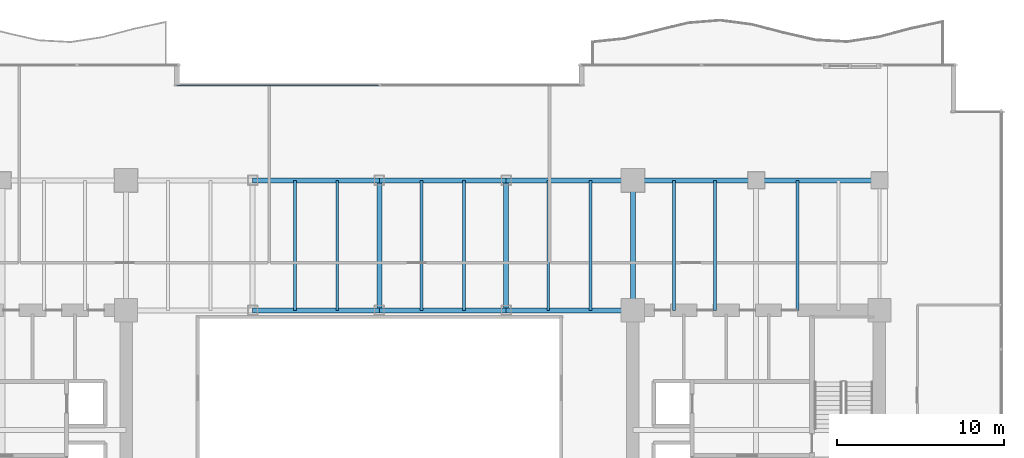
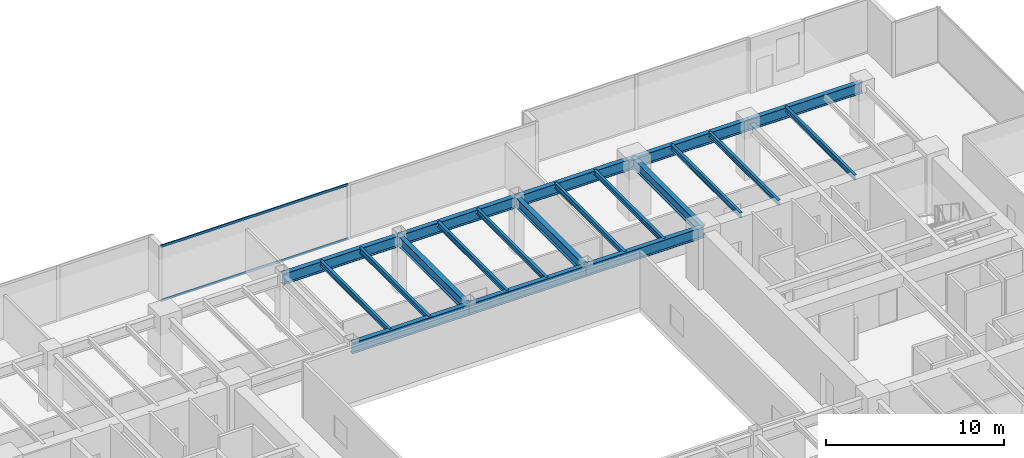
# One storey, part 17 of 32: 20 beams, 2 members, 1 element without a shape of its own.
"""IFC4 building model written with IfcOpenShell, lengths in metres."""

from ifc_helpers import new_model, si_unit, direction, frame, origin, origin_2d, place, context, subcontext, project, spatial, hollow_rectangle, i_section, extrude, source, transform, mapped, material, layer, layer_set, material_profile, profile_set, type_object, type_shapes, element, aggregate, save


model = new_model("IFC4")

# Units and contexts
model_context = context("Model", 3, precision=1e-05, world=origin(), true_north=direction((0.0, 1.0)))
body_context = subcontext(model_context, "Body", "Model", "MODEL_VIEW")
ifc_project = project(units=[si_unit("LENGTHUNIT", "METRE"), si_unit("AREAUNIT", "SQUARE_METRE"), si_unit("VOLUMEUNIT", "CUBIC_METRE"), si_unit("PLANEANGLEUNIT", "RADIAN"), si_unit("MASSUNIT", "GRAM", prefix="KILO")], contexts=[model_context])

# Site, building, storey
site_placement = place(None, origin())
site = spatial("IfcSite", under=ifc_project, at=site_placement, CompositionType="ELEMENT")
building_placement = place(site_placement, origin())
building = spatial("IfcBuilding", under=site, at=building_placement, Name="Haelvirn Gate Laboratories", CompositionType="ELEMENT")
storey_placement = place(building_placement, frame((0.0, 0.0, 33.39990234375)))
storey = spatial("IfcBuildingStorey", under=building, at=storey_placement, Name="L08", CompositionType="ELEMENT", Elevation=33.39990234375)

# Beams
ifc_material_1 = material(Name="Steel SM355", Category="steel")
ifc_material_profile_1 = material_profile(ifc_material_1, i_section(OverallWidth=0.300048828125, OverallDepth=0.699951171875, WebThickness=0.012939453125, FlangeThickness=0.02392578125, at=origin_2d()), Name="H-700x300x13x24")
ifc_profile_set_1 = profile_set([ifc_material_profile_1], Name="Steel SM355")
beam_type_1 = type_object("IfcBeamType", Name="BM-G-700", PredefinedType="BEAM", material=ifc_profile_set_1)
shared_shape_1 = source(origin(), body_context, "Body", "SweptSolid", [
    extrude(i_section(OverallWidth=0.300048828125, OverallDepth=0.699951171875, WebThickness=0.012939453125, FlangeThickness=0.02392578125, at=origin_2d()), origin(), (0.0, 0.0, 1.0), 7.800048828125),
])
type_shapes(beam_type_1, [shared_shape_1])
for number, where, z_axis, x_axis, name in (
    (1, (37.39990234375, 33.800048828125, 3.43017578125), (0.0, 1.0, 0.0), (-1.0, 0.0, 0.0), "L08 Frame Girder X37.4 (33.8-41.6)"),
    (2, (45.0, 33.800048828125, 3.43017578125), (0.0, 1.0, 0.0), (-1.0, 0.0, 0.0), "L08 Frame Girder X45.0 (33.8-41.6)"),
    (3, (52.60009765625, 33.800048828125, 3.43017578125), (0.0, 1.0, 0.0), (-1.0, 0.0, 0.0), "L08 Frame Girder X52.6 (33.8-41.6)"),
):
    element("IfcBeam", number, at=place(storey_placement, frame(where, z_axis=z_axis, x_axis=x_axis)), inside=storey, type_object=beam_type_1, Name=name, PredefinedType="BEAM", context=body_context, shape_type="MappedRepresentation", body=[
        mapped(shared_shape_1, transform((0.0, 0.0, 0.0), scale=1.0)),
    ])
ifc_material_profile_2 = material_profile(ifc_material_1, i_section(OverallWidth=0.300048828125, OverallDepth=0.75, WebThickness=0.013916015625, FlangeThickness=0.02392578125, at=origin_2d()), Name="H-750x300x14x24")
ifc_profile_set_2 = profile_set([ifc_material_profile_2], Name="Steel SM355")
beam_type_2 = type_object("IfcBeamType", Name="BM-G-750", PredefinedType="BEAM", material=ifc_profile_set_2)
shared_shape_2 = source(origin(), body_context, "Body", "SweptSolid", [
    extrude(i_section(OverallWidth=0.300048828125, OverallDepth=0.75, WebThickness=0.013916015625, FlangeThickness=0.02392578125, at=origin_2d()), origin(), (0.0, 0.0, 1.0), 7.39990234375),
])
for number, where, z_axis, x_axis, name in (
    (4, (52.60009765625, 41.60009765625, 3.405029296875), (1.0, 0.0, 0.0), (0.0, 1.0, 0.0), "L08 Primary Girder Y41.6 (52.6-60.0)"),
    (5, (60.0, 41.60009765625, 3.405029296875), (1.0, 0.0, 0.0), (0.0, 1.0, 0.0), "L08 Primary Girder Y41.6 (60.0-67.4)"),
):
    element("IfcBeam", number, at=place(storey_placement, frame(where, z_axis=z_axis, x_axis=x_axis)), inside=storey, type_object=beam_type_2, Name=name, PredefinedType="BEAM", context=body_context, shape_type="MappedRepresentation", body=[
        mapped(shared_shape_2, transform((0.0, 0.0, 0.0), scale=1.0)),
    ])
shared_shape_3 = source(origin(), body_context, "Body", "SweptSolid", [
    extrude(i_section(OverallWidth=0.300048828125, OverallDepth=0.75, WebThickness=0.013916015625, FlangeThickness=0.02392578125, at=origin_2d()), origin(), (0.0, 0.0, 1.0), 7.60009765625),
])
for number, where, z_axis, x_axis, name in (
    (6, (37.39990234375, 33.800048828125, 3.405029296875), (1.0, 0.0, 0.0), (0.0, 1.0, 0.0), "L08 Primary Girder Y33.8 (37.4-45.0)"),
    (7, (45.0, 33.800048828125, 3.405029296875), (1.0, 0.0, 0.0), (0.0, 1.0, 0.0), "L08 Primary Girder Y33.8 (45.0-52.6)"),
    (8, (37.39990234375, 41.60009765625, 3.405029296875), (1.0, 0.0, 0.0), (0.0, 1.0, 0.0), "L08 Primary Girder Y41.6 (37.4-45.0)"),
    (9, (45.0, 41.60009765625, 3.405029296875), (1.0, 0.0, 0.0), (0.0, 1.0, 0.0), "L08 Primary Girder Y41.6 (45.0-52.6)"),
):
    element("IfcBeam", number, at=place(storey_placement, frame(where, z_axis=z_axis, x_axis=x_axis)), inside=storey, type_object=beam_type_2, Name=name, PredefinedType="BEAM", context=body_context, shape_type="MappedRepresentation", body=[
        mapped(shared_shape_3, transform((0.0, 0.0, 0.0), scale=1.0)),
    ])
shared_shape_4 = source(origin(), body_context, "Body", "SweptSolid", [
    extrude(i_section(OverallWidth=0.300048828125, OverallDepth=0.75, WebThickness=0.013916015625, FlangeThickness=0.02392578125, at=origin_2d()), origin(), (0.0, 0.0, 1.0), 7.599853515625),
])
type_shapes(beam_type_2, [shared_shape_2, shared_shape_3, shared_shape_4])
for number, where, z_axis, x_axis, name in (
    (10, (29.800048828125, 33.800048828125, 3.405029296875), (1.0, 0.0, 0.0), (0.0, 1.0, 0.0), "L08 Primary Girder Y33.8 (29.8-37.4)"),
    (11, (29.800048828125, 41.60009765625, 3.405029296875), (1.0, 0.0, 0.0), (0.0, 1.0, 0.0), "L08 Primary Girder Y41.6 (29.8-37.4)"),
):
    element("IfcBeam", number, at=place(storey_placement, frame(where, z_axis=z_axis, x_axis=x_axis)), inside=storey, type_object=beam_type_2, Name=name, PredefinedType="BEAM", context=body_context, shape_type="MappedRepresentation", body=[
        mapped(shared_shape_4, transform((0.0, 0.0, 0.0), scale=1.0)),
    ])
ifc_material_profile_3 = material_profile(ifc_material_1, i_section(OverallWidth=0.175048828125, OverallDepth=0.35009765625, WebThickness=0.007080078125, FlangeThickness=0.010986328125, at=origin_2d()), Name="H-350x175x7x11")
ifc_profile_set_3 = profile_set([ifc_material_profile_3], Name="Steel SM355")
beam_type_3 = type_object("IfcBeamType", Name="BM-J-350", PredefinedType="JOIST", material=ifc_profile_set_3)
shared_shape_5 = source(origin(), body_context, "Body", "SweptSolid", [
    extrude(i_section(OverallWidth=0.175048828125, OverallDepth=0.35009765625, WebThickness=0.007080078125, FlangeThickness=0.010986328125, at=origin_2d()), origin(), (0.0, 0.0, 1.0), 7.800048828125),
])
type_shapes(beam_type_3, [shared_shape_5])
for number, where, z_axis, x_axis, name in (
    (12, (32.330078125, 33.800048828125, 3.60498046875), (0.0, 1.0, 0.0), (-1.0, 0.0, 0.0), "L08 Composite Lab Joist North X32.33"),
    (13, (34.8701171875, 33.800048828125, 3.60498046875), (0.0, 1.0, 0.0), (-1.0, 0.0, 0.0), "L08 Composite Lab Joist North X34.87"),
    (14, (39.929931640625, 33.800048828125, 3.60498046875), (0.0, 1.0, 0.0), (-1.0, 0.0, 0.0), "L08 Composite Lab Joist North X39.93"),
    (15, (42.469970703125, 33.800048828125, 3.60498046875), (0.0, 1.0, 0.0), (-1.0, 0.0, 0.0), "L08 Composite Lab Joist North X42.47"),
    (16, (47.530029296875, 33.800048828125, 3.60498046875), (0.0, 1.0, 0.0), (-1.0, 0.0, 0.0), "L08 Composite Lab Joist North X47.53"),
    (17, (50.070068359375, 33.800048828125, 3.60498046875), (0.0, 1.0, 0.0), (-1.0, 0.0, 0.0), "L08 Composite Lab Joist North X50.07"),
    (18, (55.070068359375, 33.800048828125, 3.60498046875), (0.0, 1.0, 0.0), (-1.0, 0.0, 0.0), "L08 Composite Lab Joist North X55.07"),
    (19, (57.530029296875, 33.800048828125, 3.60498046875), (0.0, 1.0, 0.0), (-1.0, 0.0, 0.0), "L08 Composite Lab Joist North X57.53"),
    (20, (62.469970703125, 33.800048828125, 3.60498046875), (0.0, 1.0, 0.0), (-1.0, 0.0, 0.0), "L08 Composite Lab Joist North X62.47"),
):
    element("IfcBeam", number, at=place(storey_placement, frame(where, z_axis=z_axis, x_axis=x_axis)), inside=storey, type_object=beam_type_3, Name=name, PredefinedType="JOIST", context=body_context, shape_type="MappedRepresentation", body=[
        mapped(shared_shape_5, transform((0.0, 0.0, 0.0), scale=1.0)),
    ])

# Curtain wall, members
ifc_material_2 = material(Name="Anodised bronze unitised aluminium & triple low-E glass", Category="aluminium")
ifc_layer = layer(ifc_material_2, 0.18408203125, Name="CW-SYS-2")
ifc_layer_set = layer_set([ifc_layer], Name="Anodised bronze unitised aluminium & triple low-E glass")
curtain_wall_type = type_object("IfcCurtainWallType", Name="CW-SYS-2", PredefinedType="NOTDEFINED", material=ifc_layer_set)
curtain_wall_placement = place(storey_placement, origin())
curtain_wall = element("IfcCurtainWall", 21, at=curtain_wall_placement, inside=storey, type_object=curtain_wall_type, Name="L08 Unitised Curtain Wall CW-L08-P0-E12-1", PredefinedType="NOTDEFINED")
ifc_material_3 = material(Name="Extruded aluminium 6063-T6 (anodised bronze)", Category="aluminium")
ifc_material_profile_4 = material_profile(ifc_material_3, hollow_rectangle(XDim=0.070068359375, YDim=0.159912109375, WallThickness=0.0048828125, at=origin_2d()), Name="CWT-160x70x5")
ifc_profile_set_4 = profile_set([ifc_material_profile_4], Name="Extruded aluminium 6063-T6 (anodised bronze)")
member_type = type_object("IfcMemberType", Name="CWT-T160", PredefinedType="USERDEFINED", material=ifc_profile_set_4)
shared_shape_6 = source(origin(), body_context, "Body", "SweptSolid", [
    extrude(hollow_rectangle(XDim=0.070068359375, YDim=0.159912109375, WallThickness=0.0048828125, at=origin_2d()), origin(), (0.0, 0.0, 1.0), 12.12744140625),
])
type_shapes(member_type, [shared_shape_6])
member_1_placement = place(storey_placement, frame((25.235107421875, 47.300048828125, 0.03515625), z_axis=(1.0, 0.0, 0.0), x_axis=(0.0, 1.0, 0.0)))
member_1 = element("IfcMember", 22, at=member_1_placement, type_object=member_type, Name="CW2 transom 1.1", ObjectType="TRANSOM", PredefinedType="USERDEFINED", context=body_context, shape_type="MappedRepresentation", body=[
    mapped(shared_shape_6, transform((0.0, 0.0, 0.0), scale=1.0)),
])
member_2_placement = place(storey_placement, frame((25.235107421875, 47.300048828125, 3.7451171875), z_axis=(1.0, 0.0, 0.0), x_axis=(0.0, 1.0, 0.0)))
member_2 = element("IfcMember", 23, at=member_2_placement, type_object=member_type, Name="CW2 transom 1.2", ObjectType="TRANSOM", PredefinedType="USERDEFINED", context=body_context, shape_type="MappedRepresentation", body=[
    mapped(shared_shape_6, transform((0.0, 0.0, 0.0), scale=1.0)),
])
aggregate(curtain_wall, [member_1, member_2])

save(model, "model.ifc")
